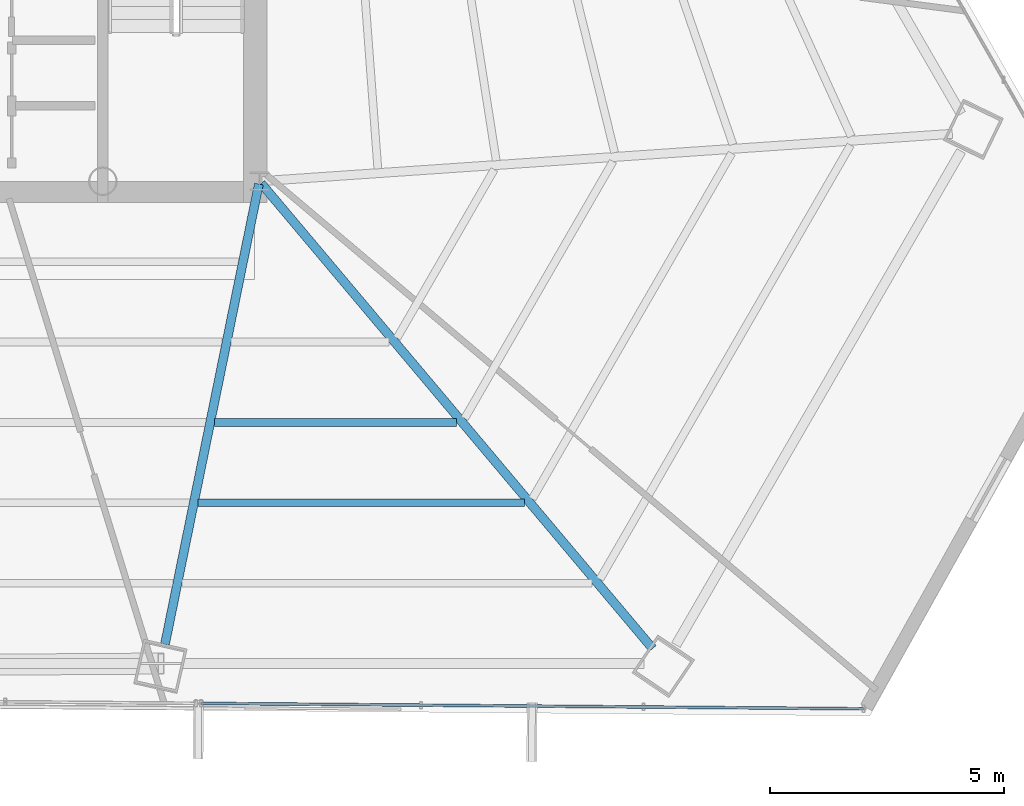
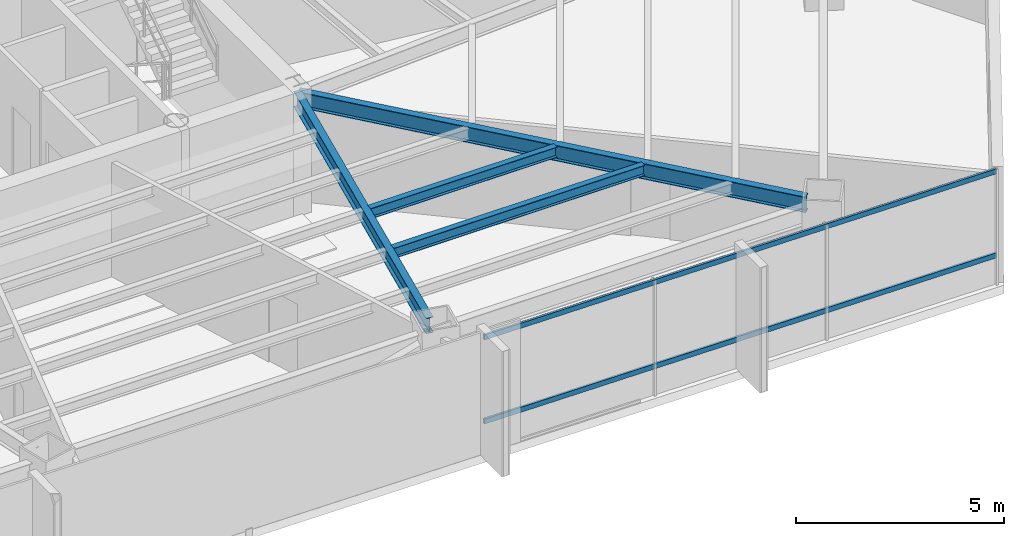
# One storey, part 18 of 39: 4 beams, 2 members, 1 element without a shape of its own.
"""IFC4 building model written with IfcOpenShell, lengths in metres."""

from ifc_helpers import new_model, si_unit, direction, frame, origin, origin_2d, place, context, subcontext, project, spatial, hollow_rectangle, i_section, extrude, source, transform, mapped, material, material_profile, profile_set, type_object, type_shapes, element, aggregate, save


model = new_model("IFC4")

# Units and contexts
model_context = context("Model", 3, precision=1e-05, world=origin(), true_north=direction((0.0, 1.0)))
body_context = subcontext(model_context, "Body", "Model", "MODEL_VIEW")
ifc_project = project(units=[si_unit("LENGTHUNIT", "METRE"), si_unit("AREAUNIT", "SQUARE_METRE"), si_unit("VOLUMEUNIT", "CUBIC_METRE"), si_unit("PLANEANGLEUNIT", "RADIAN"), si_unit("MASSUNIT", "GRAM", prefix="KILO")], contexts=[model_context])

# Site, building, storey
site_placement = place(None, origin())
site = spatial("IfcSite", under=ifc_project, at=site_placement, CompositionType="ELEMENT")
building_placement = place(site_placement, origin())
building = spatial("IfcBuilding", under=site, at=building_placement, Name="Caelisora Broadcast Tower", CompositionType="ELEMENT")
storey_placement = place(building_placement, frame((0.0, 0.0, 139.10009765625)))
storey = spatial("IfcBuildingStorey", under=building, at=storey_placement, Name="L36", CompositionType="ELEMENT", Elevation=139.10009765625)

# Beams
ifc_material_1 = material(Name="Steel Grade 350 (AS/NZS 3679.1)", Category="steel")
ifc_material_profile_1 = material_profile(ifc_material_1, i_section(OverallWidth=0.19091796875, OverallDepth=0.46044921875, WebThickness=0.010009765625, FlangeThickness=0.01611328125, at=origin_2d()), Name="Steel Grade 350 (AS/NZS 3679.1)")
ifc_profile_set_1 = profile_set([ifc_material_profile_1], Name="Steel Grade 350 (AS/NZS 3679.1)")
beam_type_1 = type_object("IfcBeamType", Name="PG06", PredefinedType="BEAM", material=ifc_profile_set_1)
shared_shape_1 = source(origin(), body_context, "Body", "SweptSolid", [
    extrude(i_section(OverallWidth=0.19091796875, OverallDepth=0.46044921875, WebThickness=0.010009765625, FlangeThickness=0.01611328125, at=origin_2d()), origin(), (0.0, 0.0, 1.0), 13.006591796875),
])
beam_1_placement = place(storey_placement, frame((45.53857421875, 17.35400390625, 3.169677734375), z_axis=(0.643853046416, -0.765149171483, 0.0), x_axis=(0.765149171483, 0.643853046416, 0.0)))
element("IfcBeam", 1, at=beam_1_placement, inside=storey, type_object=beam_type_1, Name="L36 beam PG06", PredefinedType="BEAM", context=body_context, shape_type="MappedRepresentation", body=[
    mapped(shared_shape_1, transform((0.0, 0.0, 0.0), scale=1.0)),
])
shared_shape_2 = source(origin(), body_context, "Body", "SweptSolid", [
    extrude(i_section(OverallWidth=0.19091796875, OverallDepth=0.46044921875, WebThickness=0.010009765625, FlangeThickness=0.01611328125, at=origin_2d()), origin(), (0.0, 0.0, 1.0), 10.052001953125),
])
type_shapes(beam_type_1, [shared_shape_1, shared_shape_2])
beam_2_placement = place(storey_placement, frame((45.488037109375, 17.34130859375, 3.169677734375), z_axis=(-0.199911951075, -0.979813865904, 0.0), x_axis=(0.979813865904, -0.199911951075, 0.0)))
element("IfcBeam", 2, at=beam_2_placement, inside=storey, type_object=beam_type_1, Name="L36 beam PG06", PredefinedType="BEAM", context=body_context, shape_type="MappedRepresentation", body=[
    mapped(shared_shape_2, transform((0.0, 0.0, 0.0), scale=1.0)),
])
ifc_material_profile_2 = material_profile(ifc_material_1, i_section(OverallWidth=0.166015625, OverallDepth=0.30712890625, WebThickness=0.006591796875, FlangeThickness=0.01171875, at=origin_2d()), Name="Steel Grade 350 (AS/NZS 3679.1)")
ifc_profile_set_2 = profile_set([ifc_material_profile_2], Name="Steel Grade 350 (AS/NZS 3679.1)")
beam_type_2 = type_object("IfcBeamType", Name="SB03", PredefinedType="JOIST", material=ifc_profile_set_2)
shared_shape_3 = source(origin(), body_context, "Body", "SweptSolid", [
    extrude(i_section(OverallWidth=0.166015625, OverallDepth=0.30712890625, WebThickness=0.006591796875, FlangeThickness=0.01171875, at=origin_2d()), origin(), (0.0, 0.0, 1.0), 5.177978515625),
])
beam_3_placement = place(storey_placement, frame((44.541748046875, 12.240478515625, 3.246337890625), z_axis=(1.0, 0.0, 0.0), x_axis=(0.0, 1.0, 0.0)))
element("IfcBeam", 3, at=beam_3_placement, inside=storey, type_object=beam_type_2, Name="L36 beam SB03", PredefinedType="JOIST", context=body_context, shape_type="MappedRepresentation", body=[
    mapped(shared_shape_3, transform((0.0, 0.0, 0.0), scale=1.0)),
])
shared_shape_4 = source(origin(), body_context, "Body", "SweptSolid", [
    extrude(i_section(OverallWidth=0.166015625, OverallDepth=0.30712890625, WebThickness=0.006591796875, FlangeThickness=0.01171875, at=origin_2d()), origin(), (0.0, 0.0, 1.0), 6.97607421875),
])
type_shapes(beam_type_2, [shared_shape_3, shared_shape_4])
beam_4_placement = place(storey_placement, frame((44.19091796875, 10.5205078125, 3.246337890625), z_axis=(1.0, 0.0, 0.0), x_axis=(0.0, 1.0, 0.0)))
element("IfcBeam", 4, at=beam_4_placement, inside=storey, type_object=beam_type_2, Name="L36 beam SB03", PredefinedType="JOIST", context=body_context, shape_type="MappedRepresentation", body=[
    mapped(shared_shape_4, transform((0.0, 0.0, 0.0), scale=1.0)),
])

# Curtain wall, members
ifc_material_2 = material(Name="Unitised Aluminium and Low-E Glass Curtain Wall", Category="glass")
curtain_wall_type = type_object("IfcCurtainWallType", Name="CW-Z3", PredefinedType="NOTDEFINED", material=ifc_material_2)
curtain_wall_placement = place(storey_placement, origin())
curtain_wall = element("IfcCurtainWall", 5, at=curtain_wall_placement, inside=storey, type_object=curtain_wall_type, Name="L36 curtain wall CW-Z3", PredefinedType="NOTDEFINED")
ifc_material_3 = material(Name="Aluminium 6063-T6 Anodised Terracotta Bronze", Category="aluminium")
ifc_material_profile_3 = material_profile(ifc_material_3, hollow_rectangle(XDim=0.06005859375, YDim=0.14990234375, WallThickness=0.00341796875, at=origin_2d()), Name="Aluminium 6063-T6 Anodised Terracotta Bronze")
ifc_profile_set_3 = profile_set([ifc_material_profile_3], Name="Aluminium 6063-T6 Anodised Terracotta Bronze")
member_type = type_object("IfcMemberType", Name="CWT-02", PredefinedType="USERDEFINED", material=ifc_profile_set_3)
shared_shape_5 = source(origin(), body_context, "Body", "SweptSolid", [
    extrude(hollow_rectangle(XDim=0.06005859375, YDim=0.14990234375, WallThickness=0.00341796875, at=origin_2d()), origin(), (0.0, 0.0, 1.0), 14.171875),
])
type_shapes(member_type, [shared_shape_5])
member_1_placement = place(storey_placement, frame((58.423095703125, 6.11328125, 0.849853515625), z_axis=(-0.999966519586, 0.0081828911, 0.0), x_axis=(-0.0081828911, -0.999966519586, 0.0)))
member_1 = element("IfcMember", 6, at=member_1_placement, type_object=member_type, Name="L36-CW-B05 transom #1", ObjectType="TRANSOM", PredefinedType="USERDEFINED", context=body_context, shape_type="MappedRepresentation", body=[
    mapped(shared_shape_5, transform((0.0, 0.0, 0.0), scale=1.0)),
])
member_2_placement = place(storey_placement, frame((58.423095703125, 6.11328125, 3.31982421875), z_axis=(-0.999966519586, 0.0081828911, 0.0), x_axis=(-0.0081828911, -0.999966519586, 0.0)))
member_2 = element("IfcMember", 7, at=member_2_placement, type_object=member_type, Name="L36-CW-B05 transom #2", ObjectType="TRANSOM", PredefinedType="USERDEFINED", context=body_context, shape_type="MappedRepresentation", body=[
    mapped(shared_shape_5, transform((0.0, 0.0, 0.0), scale=1.0)),
])
aggregate(curtain_wall, [member_1, member_2])

save(model, "model.ifc")
